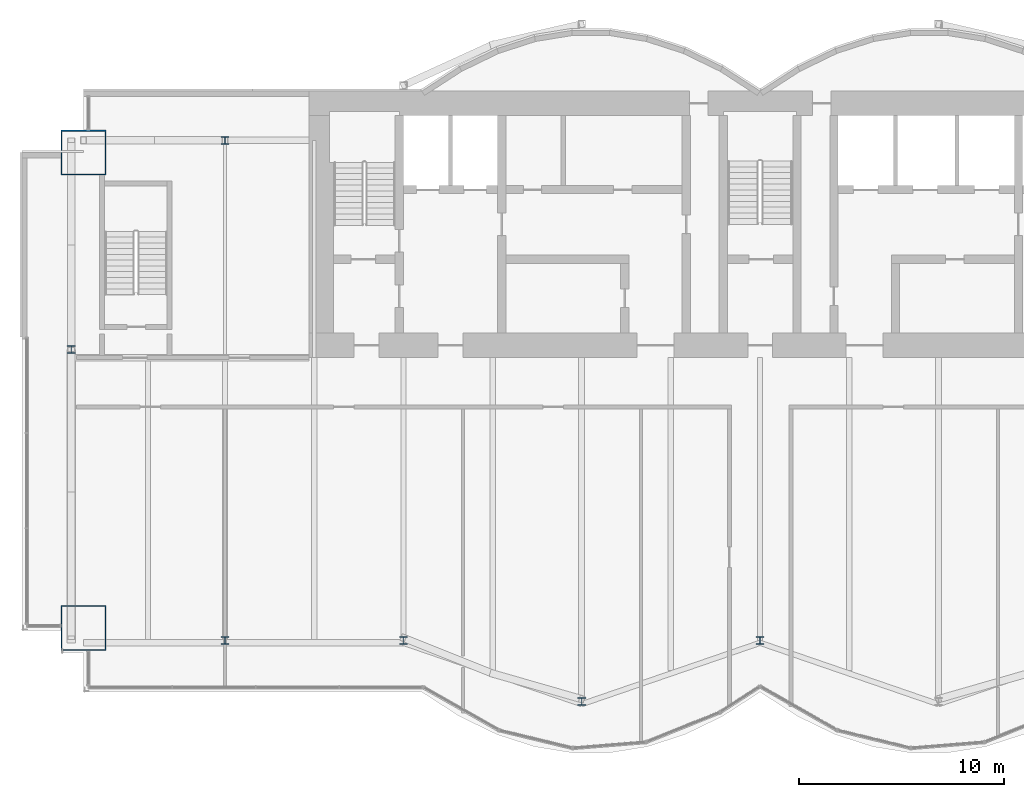
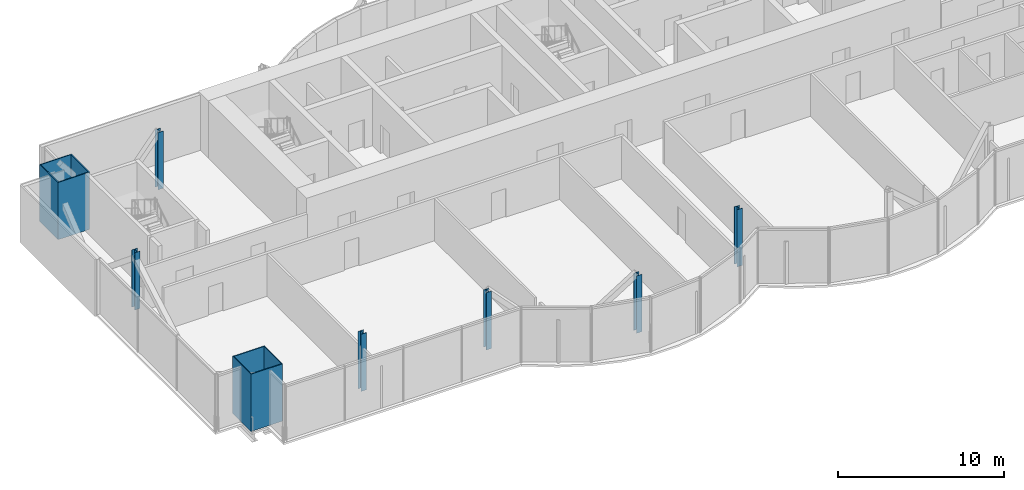
# One storey, part 1 of 19: 8 columns.
"""IFC4 building model written with IfcOpenShell, lengths in metres."""

from ifc_helpers import new_model, si_unit, direction, frame, origin, origin_2d, place, context, subcontext, project, spatial, hollow_rectangle, i_section, extrude, material, material_profile, profile_set, type_object, element, save


model = new_model("IFC4")

# Units and contexts
model_context = context("Model", 3, precision=1e-05, world=origin(), true_north=direction((0.0, 1.0)))
body_context = subcontext(model_context, "Body", "Model", "MODEL_VIEW")
ifc_project = project(units=[si_unit("LENGTHUNIT", "METRE"), si_unit("AREAUNIT", "SQUARE_METRE"), si_unit("VOLUMEUNIT", "CUBIC_METRE"), si_unit("PLANEANGLEUNIT", "RADIAN"), si_unit("MASSUNIT", "GRAM", prefix="KILO")], contexts=[model_context])

# Site, building, storey
site_placement = place(None, origin())
site = spatial("IfcSite", under=ifc_project, at=site_placement, CompositionType="ELEMENT")
building_placement = place(site_placement, origin())
building = spatial("IfcBuilding", under=site, at=building_placement, Name="Bicima Exchange Tower", CompositionType="ELEMENT")
storey_placement = place(building_placement, frame((0.0, 0.0, 258.199951171875)))
storey = spatial("IfcBuildingStorey", under=building, at=storey_placement, Name="L58", CompositionType="ELEMENT", Elevation=258.199951171875)

# Columns
ifc_material_1 = material(Name="Steel ASTM A572 Gr 50", Category="steel")
ifc_material_profile_1 = material_profile(ifc_material_1, hollow_rectangle(XDim=2.199951171875, YDim=2.199951171875, WallThickness=0.06005859375, at=origin_2d()))
ifc_profile_set_1 = profile_set([ifc_material_profile_1], Name="Steel ASTM A572 Gr 50")
column_type_1 = type_object("IfcColumnType", Name="Mega column BOX 2200x2200x60", PredefinedType="COLUMN", material=ifc_profile_set_1)
for number, where, z_axis, x_axis, name in (
    (1, (-33.0, -26.18994140625, 0.0), (0.0, 0.0, 1.0), (1.0, 0.0, 0.0), "Mega column mega-33.0f"),
    (2, (-33.0, -3.0, 0.0), (0.0, 0.0, 1.0), (1.0, 0.0, 0.0), "Mega column mega-33.0r"),
):
    element("IfcColumn", number, at=place(storey_placement, frame(where, z_axis=z_axis, x_axis=x_axis)), inside=storey, type_object=column_type_1, Name=name, PredefinedType="COLUMN", context=body_context, shape_type="SweptSolid", body=[
        extrude(hollow_rectangle(XDim=2.199951171875, YDim=2.199951171875, WallThickness=0.06005859375, at=origin_2d()), origin(), (0.0, 0.0, 1.0), 4.199951171875),
    ])
ifc_material_2 = material(Name="Steel ASTM A992 Gr 50", Category="steel")
ifc_material_profile_2 = material_profile(ifc_material_2, i_section(OverallWidth=0.370849609375, OverallDepth=0.36328125, WebThickness=0.013427734375, FlangeThickness=0.021728515625, at=origin_2d()))
ifc_profile_set_2 = profile_set([ifc_material_profile_2], Name="Steel ASTM A992 Gr 50")
column_type_2 = type_object("IfcColumnType", Name="Perimeter column W14x109", PredefinedType="COLUMN", material=ifc_profile_set_2)
for number, where, z_axis, x_axis, name in (
    (3, (-26.10009765625, -26.7900390625, 0.0), (0.0, 0.0, 1.0), (1.0, 0.0, 0.0), "Perimeter column grav-26.1f"),
    (4, (-26.10009765625, -2.39990234375, 0.0), (0.0, 0.0, 1.0), (1.0, 0.0, 0.0), "Perimeter column grav-26.1r"),
    (5, (-17.39990234375, -26.7900390625, 0.0), (0.0, 0.0, 1.0), (1.0, 0.0, 0.0), "Perimeter column grav-17.4f"),
    (6, (-8.699951171875, -29.781005859375, 0.0), (0.0, 0.0, 1.0), (1.0, 0.0, 0.0), "Perimeter column grav-8.7f"),
    (7, (0.0, -26.7900390625, 0.0), (0.0, 0.0, 1.0), (1.0, 0.0, 0.0), "Perimeter column grav-0.0f"),
    (8, (-33.60009765625, -12.60009765625, 0.0), (0.0, 0.0, 1.0), (1.0, 0.0, 0.0), "End column end-33.6e"),
):
    element("IfcColumn", number, at=place(storey_placement, frame(where, z_axis=z_axis, x_axis=x_axis)), inside=storey, type_object=column_type_2, Name=name, PredefinedType="COLUMN", context=body_context, shape_type="SweptSolid", body=[
        extrude(i_section(OverallWidth=0.370849609375, OverallDepth=0.36328125, WebThickness=0.013427734375, FlangeThickness=0.021728515625, at=origin_2d()), origin(), (0.0, 0.0, 1.0), 4.199951171875),
    ])

save(model, "model.ifc")
